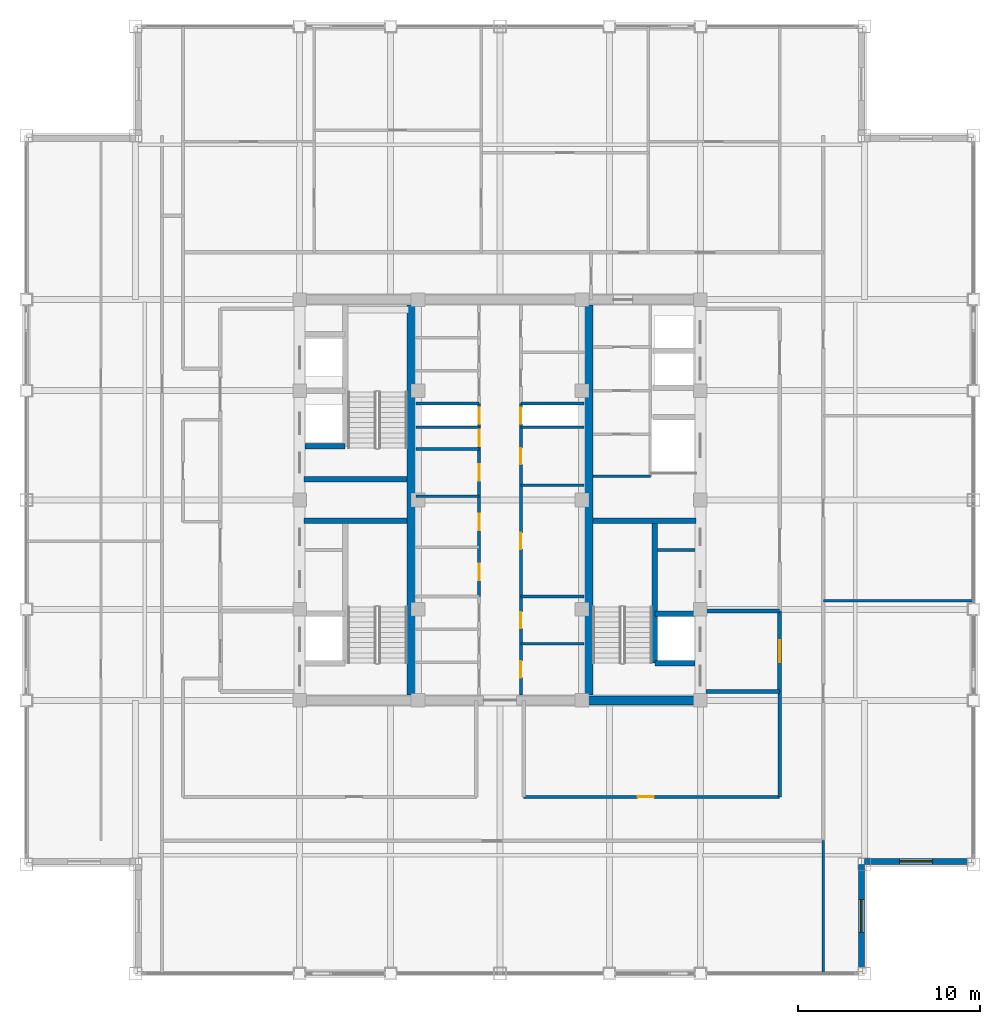
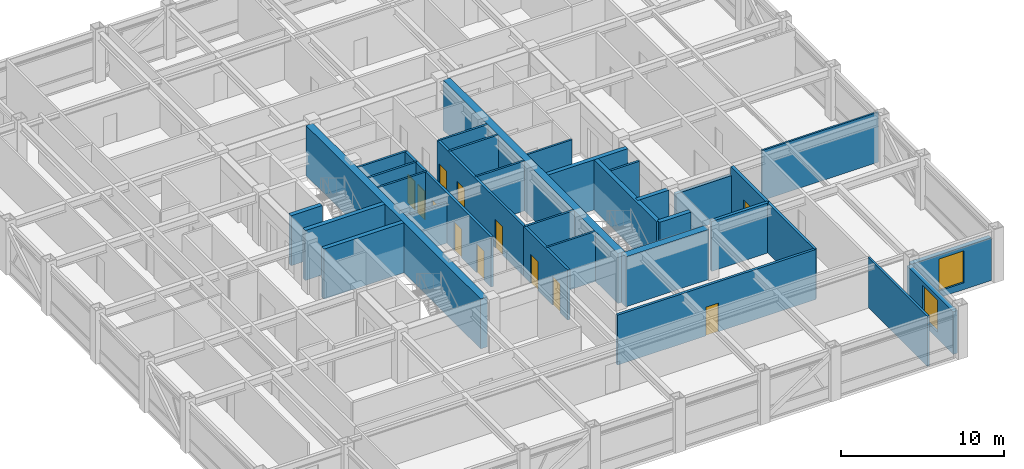
# One storey, part 25 of 29: 33 walls, 12 doors, 2 windows, 14 openings.
"""IFC4 building model written with IfcOpenShell, lengths in metres."""

from ifc_helpers import new_model, si_unit, direction, frame, frame_2d, origin, place, context, subcontext, project, spatial, rectangle, extrude, source, transform, mapped, material, layer, layer_set, type_object, element, fill, save


model = new_model("IFC4")

# Units and contexts
model_context = context("Model", 3, precision=1e-05, world=origin(), true_north=direction((0.0, 1.0)))
body_context = subcontext(model_context, "Body", "Model", "MODEL_VIEW")
ifc_project = project(units=[si_unit("LENGTHUNIT", "METRE"), si_unit("AREAUNIT", "SQUARE_METRE"), si_unit("VOLUMEUNIT", "CUBIC_METRE"), si_unit("PLANEANGLEUNIT", "RADIAN"), si_unit("MASSUNIT", "GRAM", prefix="KILO")], contexts=[model_context])

# Site, building, storey
site_placement = place(None, origin())
site = spatial("IfcSite", under=ifc_project, at=site_placement, CompositionType="ELEMENT")
building_placement = place(site_placement, origin())
building = spatial("IfcBuilding", under=site, at=building_placement, Name="Khorayat Bourse Tower", CompositionType="ELEMENT")
storey_placement = place(building_placement, frame((0.0, 0.0, 358.300048828125)))
storey = spatial("IfcBuildingStorey", under=building, at=storey_placement, Name="L85", CompositionType="ELEMENT", Elevation=358.300048828125)

# Walls
ifc_material_1 = material(Name="Concrete C52/65", Category="concrete")
ifc_layer_1 = layer(ifc_material_1, 0.5)
ifc_layer_set_1 = layer_set([ifc_layer_1], Name="Concrete C52/65")
wall_type_1 = type_object("IfcWallType", Name="WAL-CORE-500", PredefinedType="SHEAR", material=ifc_layer_set_1)
shared_shape_1 = source(origin(), body_context, "Body", "SweptSolid", [
    extrude(rectangle(XDim=21.39990234375, YDim=0.5, at=frame_2d((10.699951171875, 0.0))), origin(), (0.0, 0.0, 1.0), 3.739990234375),
])
for number, where, z_axis, x_axis, name in (
    (1, (-4.85009765625, -10.699951171875, 0.0), (0.0, 0.0, 1.0), (0.0, 1.0, 0.0), "L85 Core Shear Wall PIER-W"),
    (2, (4.85009765625, -10.699951171875, 0.0), (0.0, 0.0, 1.0), (0.0, 1.0, 0.0), "L85 Core Shear Wall PIER-E"),
):
    element("IfcWall", number, at=place(storey_placement, frame(where, z_axis=z_axis, x_axis=x_axis)), inside=storey, type_object=wall_type_1, Name=name, PredefinedType="SHEAR", context=body_context, shape_type="MappedRepresentation", body=[
        mapped(shared_shape_1, transform((0.0, 0.0, 0.0), scale=1.0)),
    ])
shared_shape_2 = source(origin(), body_context, "Body", "SweptSolid", [
    extrude(rectangle(XDim=5.89990234375, YDim=0.5, at=frame_2d((2.949951171875, 0.0))), origin(), (0.0, 0.0, 1.0), 3.739990234375),
])
wall_1_placement = place(storey_placement, frame((4.85009765625, -11.0, 0.0), z_axis=(0.0, 0.0, 1.0), x_axis=(1.0, 0.0, 0.0)))
element("IfcWall", 3, at=wall_1_placement, inside=storey, type_object=wall_type_1, Name="L85 Core Shear Wall PIER-ES", PredefinedType="SHEAR", context=body_context, shape_type="MappedRepresentation", body=[
    mapped(shared_shape_2, transform((0.0, 0.0, 0.0), scale=1.0)),
])
ifc_material_2 = material(Name="Concrete C50/60", Category="concrete")
ifc_layer_2 = layer(ifc_material_2, 0.300048828125)
ifc_layer_set_2 = layer_set([ifc_layer_2], Name="Concrete C50/60")
wall_type_2 = type_object("IfcWallType", Name="WAL-SHAFT-300", PredefinedType="SHEAR", material=ifc_layer_set_2)
shared_shape_3 = source(origin(), body_context, "Body", "SweptSolid", [
    extrude(rectangle(XDim=5.64990234375, YDim=0.300048828125, at=frame_2d((2.824951171875, 0.0))), origin(), (0.0, 0.0, 1.0), 3.739990234375),
])
for number, where, z_axis, x_axis, name in (
    (4, (-10.75, -1.14990234375, 0.0), (0.0, 0.0, 1.0), (1.0, 0.0, 0.0), "L85 Core Shear Wall ST1-DIV"),
    (5, (-10.75, 1.14990234375, 0.0), (0.0, 0.0, 1.0), (1.0, 0.0, 0.0), "L85 Core Shear Wall ST2-DIV"),
    (6, (5.10009765625, -1.14990234375, 0.0), (0.0, 0.0, 1.0), (1.0, 0.0, 0.0), "L85 Core Shear Wall ST3-DIV"),
):
    element("IfcWall", number, at=place(storey_placement, frame(where, z_axis=z_axis, x_axis=x_axis)), inside=storey, type_object=wall_type_2, Name=name, PredefinedType="SHEAR", context=body_context, shape_type="MappedRepresentation", body=[
        mapped(shared_shape_3, transform((0.0, 0.0, 0.0), scale=1.0)),
    ])

# Wall, opening, window
ifc_material_3 = material(Name="Precast concrete C45/55", Category="concrete")
ifc_layer_3 = layer(ifc_material_3, 0.320068359375)
ifc_layer_set_3 = layer_set([ifc_layer_3], Name="Precast concrete C45/55")
wall_type_3 = type_object("IfcWallType", Name="WAL-EXT-STONE-320", PredefinedType="STANDARD", material=ifc_layer_set_3)
shared_shape_4 = source(origin(), body_context, "Body", "SweptSolid", [
    extrude(rectangle(XDim=5.679931640625, YDim=0.320068359375, at=frame_2d((2.83984375, 0.0))), origin(), (0.0, 0.0, 1.0), 3.19091796875),
])
wall_2_placement = place(storey_placement, frame((19.840087890625, -25.679931640625, 0.0), z_axis=(0.0, 0.0, 1.0), x_axis=(0.0, 1.0, 0.0)))
wall_2 = element("IfcWall", 7, at=wall_2_placement, inside=storey, type_object=wall_type_3, Name="L85 Re-Entrant Notch Limestone Wall SE-V", PredefinedType="STANDARD", context=body_context, shape_type="MappedRepresentation", body=[
    mapped(shared_shape_4, transform((0.0, 0.0, 0.0), scale=1.0)),
])
shared_shape_5 = source(origin(), body_context, "Body", "SweptSolid", [
    extrude(rectangle(XDim=1.800048828125, YDim=2.39990234375, at=frame_2d((0.89990234375, 1.199951171875))), frame((0.0, 0.169921875, 0.0), z_axis=(0.0, -1.0, 0.0), x_axis=(1.0, 0.0, 0.0)), (0.0, 0.0, 1.0), 0.340087890625),
])
opening_1_placement = place(wall_2_placement, frame((1.93994140625, 0.0, 0.5)))
opening_1 = element("IfcOpeningElement", 8, at=opening_1_placement, cuts=wall_2, Name="Opening WN-04", PredefinedType="OPENING", context=body_context, shape_type="MappedRepresentation", body=[
    mapped(shared_shape_5, transform((0.0, 0.0, 0.0), scale=1.0)),
])
ifc_material_4 = material(Name="Low-E acoustic laminated double glazing", Category="glass")
window_type = type_object("IfcWindowType", Name="WIN-NOTCH-1800x2400", PartitioningType="SINGLE_PANEL", PredefinedType="WINDOW", material=ifc_material_4)
shared_shape_6 = source(origin(), body_context, "Body", "SweptSolid", [
    extrude(rectangle(XDim=1.800048828125, YDim=2.39990234375, at=frame_2d((0.89990234375, 1.199951171875))), frame((0.0, 0.030029296875, 0.0), z_axis=(0.0, -1.0, 0.0), x_axis=(1.0, 0.0, 0.0)), (0.0, 0.0, 1.0), 0.06005859375),
])
window_1_placement = place(opening_1_placement, origin())
window_1 = element("IfcWindow", 9, at=window_1_placement, inside=storey, type_object=window_type, Name="L85 Facade Window 1", OverallHeight=2.39990234375, OverallWidth=1.800048828125, PartitioningType="SINGLE_PANEL", PredefinedType="WINDOW", context=body_context, shape_type="MappedRepresentation", body=[
    mapped(shared_shape_6, transform((0.0, 0.0, 0.0), scale=1.0)),
])
fill(opening_1, window_1)

wall_3_placement = place(storey_placement, frame((20.0, -19.840087890625, 0.0), z_axis=(0.0, 0.0, 1.0), x_axis=(1.0, 0.0, 0.0)))
wall_3 = element("IfcWall", 10, at=wall_3_placement, inside=storey, type_object=wall_type_3, Name="L85 Re-Entrant Notch Limestone Wall SE-H", PredefinedType="STANDARD", context=body_context, shape_type="MappedRepresentation", body=[
    mapped(shared_shape_4, transform((0.0, 0.0, 0.0), scale=1.0)),
])
opening_2_placement = place(wall_3_placement, frame((1.93994140625, 0.0, 0.5)))
opening_2 = element("IfcOpeningElement", 11, at=opening_2_placement, cuts=wall_3, Name="Opening WN-04", PredefinedType="OPENING", context=body_context, shape_type="MappedRepresentation", body=[
    mapped(shared_shape_5, transform((0.0, 0.0, 0.0), scale=1.0)),
])
window_2_placement = place(opening_2_placement, origin())
window_2 = element("IfcWindow", 12, at=window_2_placement, inside=storey, type_object=window_type, Name="L85 Facade Window 1", OverallHeight=2.39990234375, OverallWidth=1.800048828125, PartitioningType="SINGLE_PANEL", PredefinedType="WINDOW", context=body_context, shape_type="MappedRepresentation", body=[
    mapped(shared_shape_6, transform((0.0, 0.0, 0.0), scale=1.0)),
])
fill(opening_2, window_2)

# Walls
shared_shape_7 = source(origin(), body_context, "Body", "SweptSolid", [
    extrude(rectangle(XDim=7.800048828125, YDim=0.300048828125, at=frame_2d((3.89990234375, 0.0))), origin(), (0.0, 0.0, 1.0), 3.739990234375),
])
wall_4_placement = place(storey_placement, frame((8.5, -8.949951171875, 0.0), z_axis=(0.0, 0.0, 1.0), x_axis=(0.0, 1.0, 0.0)))
element("IfcWall", 13, at=wall_4_placement, inside=storey, type_object=wall_type_2, Name="L85 Partition WAL-L85-EPIER-SP", PredefinedType="SHEAR", context=body_context, shape_type="MappedRepresentation", body=[
    mapped(shared_shape_7, transform((0.0, 0.0, 0.0), scale=1.0)),
])
shared_shape_8 = source(origin(), body_context, "Body", "SweptSolid", [
    extrude(rectangle(XDim=2.199951171875, YDim=0.300048828125, at=frame_2d((1.10009765625, 0.0))), origin(), (0.0, 0.0, 1.0), 3.739990234375),
])
for number, where, z_axis, x_axis, name in (
    (14, (-10.699951171875, 2.949951171875, 0.0), (0.0, 0.0, 1.0), (1.0, 0.0, 0.0), "L85 Partition WAL-L85-WPIER-H1S"),
    (15, (8.5, -8.949951171875, 0.0), (0.0, 0.0, 1.0), (1.0, 0.0, 0.0), "L85 Partition WAL-L85-EPIER-FF2S"),
    (16, (8.5, -6.25, 0.0), (0.0, 0.0, 1.0), (1.0, 0.0, 0.0), "L85 Partition WAL-L85-EPIER-FF2N"),
):
    element("IfcWall", number, at=place(storey_placement, frame(where, z_axis=z_axis, x_axis=x_axis)), inside=storey, type_object=wall_type_2, Name=name, PredefinedType="SHEAR", context=body_context, shape_type="MappedRepresentation", body=[
        mapped(shared_shape_8, transform((0.0, 0.0, 0.0), scale=1.0)),
    ])
ifc_material_5 = material(Name="Gypsum plasterboard twin-frame partition")
ifc_layer_4 = layer(ifc_material_5, 0.14990234375)
ifc_layer_set_4 = layer_set([ifc_layer_4], Name="Gypsum plasterboard twin-frame partition")
wall_type_4 = type_object("IfcWallType", Name="WAL-PART-SUITE-150", PredefinedType="PARTITIONING", material=ifc_layer_set_4)
shared_shape_9 = source(origin(), body_context, "Body", "SweptSolid", [
    extrude(rectangle(XDim=2.050048828125, YDim=0.14990234375, at=frame_2d((1.02490234375, 0.0))), origin(), (0.0, 0.0, 1.0), 3.739990234375),
])
wall_5_placement = place(storey_placement, frame((8.64990234375, -2.75, 0.0), z_axis=(0.0, 0.0, 1.0), x_axis=(1.0, 0.0, 0.0)))
element("IfcWall", 17, at=wall_5_placement, inside=storey, type_object=wall_type_4, Name="L85 Partition WAL-L85-ESRV-D1", PredefinedType="PARTITIONING", context=body_context, shape_type="MappedRepresentation", body=[
    mapped(shared_shape_9, transform((0.0, 0.0, 0.0), scale=1.0)),
])
ifc_material_6 = material(Name="Moisture-resistant masonry partition", Category="masonry")
ifc_layer_5 = layer(ifc_material_6, 0.139892578125)
ifc_layer_set_5 = layer_set([ifc_layer_5], Name="Moisture-resistant masonry partition")
wall_type_5 = type_object("IfcWallType", Name="WAL-PART-WET-140", PredefinedType="PARTITIONING", material=ifc_layer_set_5)
shared_shape_10 = source(origin(), body_context, "Body", "SweptSolid", [
    extrude(rectangle(XDim=3.14990234375, YDim=0.139892578125, at=frame_2d((1.574951171875, 0.0))), origin(), (0.0, 0.0, 1.0), 3.739990234375),
])
wall_6_placement = place(storey_placement, frame((5.10009765625, 1.300048828125, 0.0), z_axis=(0.0, 0.0, 1.0), x_axis=(1.0, 0.0, 0.0)))
element("IfcWall", 18, at=wall_6_placement, inside=storey, type_object=wall_type_5, Name="L85 Partition WAL-L85-ECORE-S", PredefinedType="PARTITIONING", context=body_context, shape_type="MappedRepresentation", body=[
    mapped(shared_shape_10, transform((0.0, 0.0, 0.0), scale=1.0)),
])
ifc_material_7 = material(Name="Aerated concrete blockwork", Category="masonry")
ifc_layer_6 = layer(ifc_material_7, 0.219970703125)
ifc_layer_set_6 = layer_set([ifc_layer_6], Name="Aerated concrete blockwork")
wall_type_6 = type_object("IfcWallType", Name="WAL-PART-FF-220", PredefinedType="PARTITIONING", material=ifc_layer_set_6)
shared_shape_11 = source(origin(), body_context, "Body", "SweptSolid", [
    extrude(rectangle(XDim=4.050048828125, YDim=0.219970703125, at=frame_2d((2.02490234375, 0.0))), origin(), (0.0, 0.0, 1.0), 3.739990234375),
])
wall_7_placement = place(storey_placement, frame((11.300048828125, -10.5, 0.0), z_axis=(0.0, 0.0, 1.0), x_axis=(1.0, 0.0, 0.0)))
element("IfcWall", 19, at=wall_7_placement, inside=storey, type_object=wall_type_6, Name="L85 Partition WAL-L85-FFLE-S", PredefinedType="PARTITIONING", context=body_context, shape_type="MappedRepresentation", body=[
    mapped(shared_shape_11, transform((0.0, 0.0, 0.0), scale=1.0)),
])
shared_shape_12 = source(origin(), body_context, "Body", "SweptSolid", [
    extrude(rectangle(XDim=4.050048828125, YDim=0.219970703125, at=frame_2d((2.02490234375, 0.0))), origin(), (0.0, 0.0, 1.0), 3.1240234375),
])
wall_8_placement = place(storey_placement, frame((11.300048828125, -6.10009765625, 0.0), z_axis=(0.0, 0.0, 1.0), x_axis=(1.0, 0.0, 0.0)))
element("IfcWall", 20, at=wall_8_placement, inside=storey, type_object=wall_type_6, Name="L85 Partition WAL-L85-FFLE-N", PredefinedType="PARTITIONING", context=body_context, shape_type="MappedRepresentation", body=[
    mapped(shared_shape_12, transform((0.0, 0.0, 0.0), scale=1.0)),
])

# Wall, opening, door
shared_shape_13 = source(origin(), body_context, "Body", "SweptSolid", [
    extrude(rectangle(XDim=4.39990234375, YDim=0.219970703125, at=frame_2d((2.199951171875, 0.0))), origin(), (0.0, 0.0, 1.0), 3.739990234375),
])
wall_9_placement = place(storey_placement, frame((15.35009765625, -10.5, 0.0), z_axis=(0.0, 0.0, 1.0), x_axis=(0.0, 1.0, 0.0)))
wall_9 = element("IfcWall", 21, at=wall_9_placement, inside=storey, type_object=wall_type_6, Name="L85 Partition WAL-L85-FFLE-E", PredefinedType="PARTITIONING", context=body_context, shape_type="MappedRepresentation", body=[
    mapped(shared_shape_13, transform((0.0, 0.0, 0.0), scale=1.0)),
])
shared_shape_14 = source(origin(), body_context, "Body", "SweptSolid", [
    extrude(rectangle(XDim=1.199951171875, YDim=2.199951171875, at=frame_2d((0.60009765625, 1.10009765625))), frame((0.0, 0.119873046875, 0.0), z_axis=(0.0, -1.0, 0.0), x_axis=(1.0, 0.0, 0.0)), (0.0, 0.0, 1.0), 0.239990234375),
])
opening_3_placement = place(wall_9_placement, frame((1.60009765625, 0.0, 0.0)))
opening_3 = element("IfcOpeningElement", 22, at=opening_3_placement, cuts=wall_9, Name="Opening DI-02", PredefinedType="OPENING", context=body_context, shape_type="MappedRepresentation", body=[
    mapped(shared_shape_14, transform((0.0, 0.0, 0.0), scale=1.0)),
])
ifc_material_8 = material(Name="Fire-rated steel double-seal leaf", Category="steel")
door_type_1 = type_object("IfcDoorType", Name="DR-INT-FFLOBBY-1200", OperationType="NOTDEFINED", PredefinedType="DOOR", material=ifc_material_8)
shared_shape_15 = source(origin(), body_context, "Body", "SweptSolid", [
    extrude(rectangle(XDim=1.199951171875, YDim=2.199951171875, at=frame_2d((0.60009765625, 1.10009765625))), frame((0.0, 0.02490234375, 0.0), z_axis=(0.0, -1.0, 0.0), x_axis=(1.0, 0.0, 0.0)), (0.0, 0.0, 1.0), 0.050048828125),
])
door_1_placement = place(opening_3_placement, origin())
door_1 = element("IfcDoor", 23, at=door_1_placement, inside=storey, type_object=door_type_1, Name="L85 East Firefighting Lobby Door", OperationType="SINGLE_SWING_RIGHT", OverallHeight=2.199951171875, OverallWidth=1.199951171875, PredefinedType="DOOR", context=body_context, shape_type="MappedRepresentation", body=[
    mapped(shared_shape_15, transform((0.0, 0.0, 0.0), scale=1.0)),
])
fill(opening_3, door_1)

# Walls
shared_shape_16 = source(origin(), body_context, "Body", "SweptSolid", [
    extrude(rectangle(XDim=3.4501953125, YDim=0.14990234375, at=frame_2d((1.72509765625, 0.0))), origin(), (0.0, 0.0, 1.0), 3.739990234375),
])
for number, where, z_axis, x_axis, name in (
    (24, (-4.60009765625, 4.0, 0.0), (0.0, 0.0, 1.0), (1.0, 0.0, 0.0), "L85 Partition WAL-L85-CRSW-S"),
    (25, (1.14990234375, 4.0, 0.0), (0.0, 0.0, 1.0), (1.0, 0.0, 0.0), "L85 Partition WAL-L85-CRSE-S"),
    (26, (1.14990234375, -5.300048828125, 0.0), (0.0, 0.0, 1.0), (1.0, 0.0, 0.0), "L85 Partition WAL-L85-FB1-NE"),
    (27, (-4.60009765625, 5.300048828125, 0.0), (0.0, 0.0, 1.0), (1.0, 0.0, 0.0), "L85 Partition WAL-L85-FB2-SW"),
    (28, (1.14990234375, 5.300048828125, 0.0), (0.0, 0.0, 1.0), (1.0, 0.0, 0.0), "L85 Partition WAL-L85-FB2-SE"),
):
    element("IfcWall", number, at=place(storey_placement, frame(where, z_axis=z_axis, x_axis=x_axis)), inside=storey, type_object=wall_type_4, Name=name, PredefinedType="PARTITIONING", context=body_context, shape_type="MappedRepresentation", body=[
        mapped(shared_shape_16, transform((0.0, 0.0, 0.0), scale=1.0)),
    ])
shared_shape_17 = source(origin(), body_context, "Body", "SweptSolid", [
    extrude(rectangle(XDim=3.4501953125, YDim=0.139892578125, at=frame_2d((1.72509765625, 0.0))), origin(), (0.0, 0.0, 1.0), 3.739990234375),
])
for number, where, z_axis, x_axis, name in (
    (29, (1.14990234375, -7.89990234375, 0.0), (0.0, 0.0, 1.0), (1.0, 0.0, 0.0), "L85 Partition WAL-L85-FB1E-D1"),
    (30, (-4.60009765625, 2.800048828125, 0.0), (0.0, 0.0, 1.0), (1.0, 0.0, 0.0), "L85 Partition WAL-L85-CMW-D3"),
    (31, (1.14990234375, 0.800048828125, 0.0), (0.0, 0.0, 1.0), (1.0, 0.0, 0.0), "L85 Partition WAL-L85-CME-D1"),
):
    element("IfcWall", number, at=place(storey_placement, frame(where, z_axis=z_axis, x_axis=x_axis)), inside=storey, type_object=wall_type_5, Name=name, PredefinedType="PARTITIONING", context=body_context, shape_type="MappedRepresentation", body=[
        mapped(shared_shape_17, transform((0.0, 0.0, 0.0), scale=1.0)),
    ])

# Wall, openings, doors
ifc_material_9 = material(Name="Gypsum plasterboard acoustic stud wall")
ifc_layer_7 = layer(ifc_material_9, 0.179931640625)
ifc_layer_set_7 = layer_set([ifc_layer_7], Name="Gypsum plasterboard acoustic stud wall")
wall_type_7 = type_object("IfcWallType", Name="WAL-PART-CORR-180", PredefinedType="PARTITIONING", material=ifc_layer_set_7)
shared_shape_18 = source(origin(), body_context, "Body", "SweptSolid", [
    extrude(rectangle(XDim=5.39990234375, YDim=0.179931640625, at=frame_2d((2.699951171875, 0.0))), origin(), (0.0, 0.0, 1.0), 3.739990234375),
])
wall_10_placement = place(storey_placement, frame((1.14990234375, -10.699951171875, 0.0), z_axis=(0.0, 0.0, 1.0), x_axis=(0.0, 1.0, 0.0)))
wall_10 = element("IfcWall", 32, at=wall_10_placement, inside=storey, type_object=wall_type_7, Name="L85 Partition WAL-L85-FB1E-L", PredefinedType="PARTITIONING", context=body_context, shape_type="MappedRepresentation", body=[
    mapped(shared_shape_18, transform((0.0, 0.0, 0.0), scale=1.0)),
])
shared_shape_19 = source(origin(), body_context, "Body", "SweptSolid", [
    extrude(rectangle(XDim=0.89990234375, YDim=2.14990234375, at=frame_2d((0.449951171875, 1.074951171875))), frame((0.0, 0.099853515625, 0.0), z_axis=(0.0, -1.0, 0.0), x_axis=(1.0, 0.0, 0.0)), (0.0, 0.0, 1.0), 0.199951171875),
])
opening_4_placement = place(wall_10_placement, frame((0.949951171875, 0.0, 0.0)))
opening_4 = element("IfcOpeningElement", 33, at=opening_4_placement, cuts=wall_10, Name="Opening DI-06", PredefinedType="OPENING", context=body_context, shape_type="MappedRepresentation", body=[
    mapped(shared_shape_19, transform((0.0, 0.0, 0.0), scale=1.0)),
])
opening_5_placement = place(wall_10_placement, frame((3.64990234375, 0.0, 0.0)))
opening_5 = element("IfcOpeningElement", 34, at=opening_5_placement, cuts=wall_10, Name="Opening DI-06", PredefinedType="OPENING", context=body_context, shape_type="MappedRepresentation", body=[
    mapped(shared_shape_19, transform((0.0, 0.0, 0.0), scale=1.0)),
])
ifc_material_10 = material(Name="Moisture-resistant laminate washroom door")
door_type_2 = type_object("IfcDoorType", Name="DR-INT-WC-900", OperationType="NOTDEFINED", PredefinedType="DOOR", material=ifc_material_10)
shared_shape_20 = source(origin(), body_context, "Body", "SweptSolid", [
    extrude(rectangle(XDim=0.89990234375, YDim=2.14990234375, at=frame_2d((0.449951171875, 1.074951171875))), frame((0.0, 0.02490234375, 0.0), z_axis=(0.0, -1.0, 0.0), x_axis=(1.0, 0.0, 0.0)), (0.0, 0.0, 1.0), 0.050048828125),
])
door_2_placement = place(opening_4_placement, origin())
door_2 = element("IfcDoor", 35, at=door_2_placement, inside=storey, type_object=door_type_2, Name="L85 UPS Switch Plant Room Door", OperationType="SINGLE_SWING_RIGHT", OverallHeight=2.14990234375, OverallWidth=0.89990234375, PredefinedType="DOOR", context=body_context, shape_type="MappedRepresentation", body=[
    mapped(shared_shape_20, transform((0.0, 0.0, 0.0), scale=1.0)),
])
fill(opening_4, door_2)
door_3_placement = place(opening_5_placement, origin())
door_3 = element("IfcDoor", 36, at=door_3_placement, inside=storey, type_object=door_type_2, Name="L85 Reprographics Store Door", OperationType="SINGLE_SWING_LEFT", OverallHeight=2.14990234375, OverallWidth=0.89990234375, PredefinedType="DOOR", context=body_context, shape_type="MappedRepresentation", body=[
    mapped(shared_shape_20, transform((0.0, 0.0, 0.0), scale=1.0)),
])
fill(opening_5, door_3)

shared_shape_21 = source(origin(), body_context, "Body", "SweptSolid", [
    extrude(rectangle(XDim=10.60009765625, YDim=0.179931640625, at=frame_2d((5.300048828125, 0.0))), origin(), (0.0, 0.0, 1.0), 3.739990234375),
])
wall_11_placement = place(storey_placement, frame((-1.14990234375, -5.300048828125, 0.0), z_axis=(0.0, 0.0, 1.0), x_axis=(0.0, 1.0, 0.0)))
wall_11 = element("IfcWall", 37, at=wall_11_placement, inside=storey, type_object=wall_type_7, Name="L85 Partition WAL-L85-CMW-L", PredefinedType="PARTITIONING", context=body_context, shape_type="MappedRepresentation", body=[
    mapped(shared_shape_21, transform((0.0, 0.0, 0.0), scale=1.0)),
])
opening_6_placement = place(wall_11_placement, frame((0.89990234375, 0.0, 0.0)))
opening_6 = element("IfcOpeningElement", 38, at=opening_6_placement, cuts=wall_11, Name="Opening DI-06", PredefinedType="OPENING", context=body_context, shape_type="MappedRepresentation", body=[
    mapped(shared_shape_19, transform((0.0, 0.0, 0.0), scale=1.0)),
])
opening_7_placement = place(wall_11_placement, frame((3.64990234375, 0.0, 0.0)))
opening_7 = element("IfcOpeningElement", 39, at=opening_7_placement, cuts=wall_11, Name="Opening DI-06", PredefinedType="OPENING", context=body_context, shape_type="MappedRepresentation", body=[
    mapped(shared_shape_19, transform((0.0, 0.0, 0.0), scale=1.0)),
])
opening_8_placement = place(wall_11_placement, frame((6.35009765625, 0.0, 0.0)))
opening_8 = element("IfcOpeningElement", 40, at=opening_8_placement, cuts=wall_11, Name="Opening DI-06", PredefinedType="OPENING", context=body_context, shape_type="MappedRepresentation", body=[
    mapped(shared_shape_19, transform((0.0, 0.0, 0.0), scale=1.0)),
])
opening_9_placement = place(wall_11_placement, frame((8.25, 0.0, 0.0)))
opening_9 = element("IfcOpeningElement", 41, at=opening_9_placement, cuts=wall_11, Name="Opening DI-06", PredefinedType="OPENING", context=body_context, shape_type="MappedRepresentation", body=[
    mapped(shared_shape_19, transform((0.0, 0.0, 0.0), scale=1.0)),
])
opening_10_placement = place(wall_11_placement, frame((9.47509765625, 0.0, 0.0)))
opening_10 = element("IfcOpeningElement", 42, at=opening_10_placement, cuts=wall_11, Name="Opening DI-06", PredefinedType="OPENING", context=body_context, shape_type="MappedRepresentation", body=[
    mapped(shared_shape_19, transform((0.0, 0.0, 0.0), scale=1.0)),
])
door_4_placement = place(opening_6_placement, origin())
door_4 = element("IfcDoor", 43, at=door_4_placement, inside=storey, type_object=door_type_2, Name="L85 Cleaners Store Door", OperationType="SINGLE_SWING_RIGHT", OverallHeight=2.14990234375, OverallWidth=0.89990234375, PredefinedType="DOOR", context=body_context, shape_type="MappedRepresentation", body=[
    mapped(shared_shape_20, transform((0.0, 0.0, 0.0), scale=1.0)),
])
fill(opening_6, door_4)
door_5_placement = place(opening_7_placement, origin())
door_5 = element("IfcDoor", 44, at=door_5_placement, inside=storey, type_object=door_type_2, Name="L85 Male Core Washroom Door", OperationType="SINGLE_SWING_LEFT", OverallHeight=2.14990234375, OverallWidth=0.89990234375, PredefinedType="DOOR", context=body_context, shape_type="MappedRepresentation", body=[
    mapped(shared_shape_20, transform((0.0, 0.0, 0.0), scale=1.0)),
])
fill(opening_7, door_5)
door_6_placement = place(opening_8_placement, origin())
door_6 = element("IfcDoor", 45, at=door_6_placement, inside=storey, type_object=door_type_2, Name="L85 Electrical Closet Door", OperationType="SINGLE_SWING_RIGHT", OverallHeight=2.14990234375, OverallWidth=0.89990234375, PredefinedType="DOOR", context=body_context, shape_type="MappedRepresentation", body=[
    mapped(shared_shape_20, transform((0.0, 0.0, 0.0), scale=1.0)),
])
fill(opening_8, door_6)
door_7_placement = place(opening_9_placement, origin())
door_7 = element("IfcDoor", 46, at=door_7_placement, inside=storey, type_object=door_type_2, Name="L85 Archive Cupboard Door", OperationType="SINGLE_SWING_LEFT", OverallHeight=2.14990234375, OverallWidth=0.89990234375, PredefinedType="DOOR", context=body_context, shape_type="MappedRepresentation", body=[
    mapped(shared_shape_20, transform((0.0, 0.0, 0.0), scale=1.0)),
])
fill(opening_9, door_7)
door_8_placement = place(opening_10_placement, origin())
door_8 = element("IfcDoor", 47, at=door_8_placement, inside=storey, type_object=door_type_2, Name="L85 West Core Riser Door", OperationType="SINGLE_SWING_LEFT", OverallHeight=2.14990234375, OverallWidth=0.89990234375, PredefinedType="DOOR", context=body_context, shape_type="MappedRepresentation", body=[
    mapped(shared_shape_20, transform((0.0, 0.0, 0.0), scale=1.0)),
])
fill(opening_10, door_8)

wall_12_placement = place(storey_placement, frame((1.14990234375, -5.300048828125, 0.0), z_axis=(0.0, 0.0, 1.0), x_axis=(0.0, 1.0, 0.0)))
wall_12 = element("IfcWall", 48, at=wall_12_placement, inside=storey, type_object=wall_type_7, Name="L85 Partition WAL-L85-CME-L", PredefinedType="PARTITIONING", context=body_context, shape_type="MappedRepresentation", body=[
    mapped(shared_shape_21, transform((0.0, 0.0, 0.0), scale=1.0)),
])
opening_11_placement = place(wall_12_placement, frame((2.60009765625, 0.0, 0.0)))
opening_11 = element("IfcOpeningElement", 49, at=opening_11_placement, cuts=wall_12, Name="Opening DI-06", PredefinedType="OPENING", context=body_context, shape_type="MappedRepresentation", body=[
    mapped(shared_shape_19, transform((0.0, 0.0, 0.0), scale=1.0)),
])
opening_12_placement = place(wall_12_placement, frame((7.25, 0.0, 0.0)))
opening_12 = element("IfcOpeningElement", 50, at=opening_12_placement, cuts=wall_12, Name="Opening DI-06", PredefinedType="OPENING", context=body_context, shape_type="MappedRepresentation", body=[
    mapped(shared_shape_19, transform((0.0, 0.0, 0.0), scale=1.0)),
])
opening_13_placement = place(wall_12_placement, frame((9.47509765625, 0.0, 0.0)))
opening_13 = element("IfcOpeningElement", 51, at=opening_13_placement, cuts=wall_12, Name="Opening DI-06", PredefinedType="OPENING", context=body_context, shape_type="MappedRepresentation", body=[
    mapped(shared_shape_19, transform((0.0, 0.0, 0.0), scale=1.0)),
])
door_9_placement = place(opening_11_placement, origin())
door_9 = element("IfcDoor", 52, at=door_9_placement, inside=storey, type_object=door_type_2, Name="L85 Female Core Washroom Door", OperationType="SINGLE_SWING_RIGHT", OverallHeight=2.14990234375, OverallWidth=0.89990234375, PredefinedType="DOOR", context=body_context, shape_type="MappedRepresentation", body=[
    mapped(shared_shape_20, transform((0.0, 0.0, 0.0), scale=1.0)),
])
fill(opening_11, door_9)
door_10_placement = place(opening_12_placement, origin())
door_10 = element("IfcDoor", 53, at=door_10_placement, inside=storey, type_object=door_type_2, Name="L85 Smoke Extract Fan Plant Room Door", OperationType="SINGLE_SWING_LEFT", OverallHeight=2.14990234375, OverallWidth=0.89990234375, PredefinedType="DOOR", context=body_context, shape_type="MappedRepresentation", body=[
    mapped(shared_shape_20, transform((0.0, 0.0, 0.0), scale=1.0)),
])
fill(opening_12, door_10)
door_11_placement = place(opening_13_placement, origin())
door_11 = element("IfcDoor", 54, at=door_11_placement, inside=storey, type_object=door_type_2, Name="L85 East Core Riser Door", OperationType="SINGLE_SWING_RIGHT", OverallHeight=2.14990234375, OverallWidth=0.89990234375, PredefinedType="DOOR", context=body_context, shape_type="MappedRepresentation", body=[
    mapped(shared_shape_20, transform((0.0, 0.0, 0.0), scale=1.0)),
])
fill(opening_13, door_11)

# Wall
shared_shape_22 = source(origin(), body_context, "Body", "SweptSolid", [
    extrude(rectangle(XDim=3.4501953125, YDim=0.139892578125, at=frame_2d((1.72509765625, 0.0))), origin(), (0.0, 0.0, 1.0), 3.044921875),
])
wall_13_placement = place(storey_placement, frame((-4.60009765625, 0.199951171875, 0.0), z_axis=(0.0, 0.0, 1.0), x_axis=(1.0, 0.0, 0.0)))
element("IfcWall", 55, at=wall_13_placement, inside=storey, type_object=wall_type_5, Name="L85 Partition WAL-L85-CMW-D2", PredefinedType="PARTITIONING", context=body_context, shape_type="MappedRepresentation", body=[
    mapped(shared_shape_22, transform((0.0, 0.0, 0.0), scale=1.0)),
])

# Wall, opening, door
shared_shape_23 = source(origin(), body_context, "Body", "SweptSolid", [
    extrude(rectangle(XDim=14.050048828125, YDim=0.179931640625, at=frame_2d((7.02490234375, 0.0))), origin(), (0.0, 0.0, 1.0), 3.739990234375),
])
wall_14_placement = place(storey_placement, frame((1.300048828125, -16.300048828125, 0.0), z_axis=(0.0, 0.0, 1.0), x_axis=(1.0, 0.0, 0.0)))
wall_14 = element("IfcWall", 56, at=wall_14_placement, inside=storey, type_object=wall_type_7, Name="L85 Partition WAL-L85-PKSE-S", PredefinedType="PARTITIONING", context=body_context, shape_type="MappedRepresentation", body=[
    mapped(shared_shape_23, transform((0.0, 0.0, 0.0), scale=1.0)),
])
opening_14_placement = place(wall_14_placement, frame((6.25, 0.0, 0.0)))
opening_14 = element("IfcOpeningElement", 57, at=opening_14_placement, cuts=wall_14, Name="Opening DI-06", PredefinedType="OPENING", context=body_context, shape_type="MappedRepresentation", body=[
    mapped(shared_shape_19, transform((0.0, 0.0, 0.0), scale=1.0)),
])
door_12_placement = place(opening_14_placement, origin())
door_12 = element("IfcDoor", 58, at=door_12_placement, inside=storey, type_object=door_type_2, Name="L85 SE Inboard Study Door", OperationType="SINGLE_SWING_RIGHT", OverallHeight=2.14990234375, OverallWidth=0.89990234375, PredefinedType="DOOR", context=body_context, shape_type="MappedRepresentation", body=[
    mapped(shared_shape_20, transform((0.0, 0.0, 0.0), scale=1.0)),
])
fill(opening_14, door_12)

# Walls
ifc_material_11 = material(Name="Gypsum plasterboard partition")
ifc_layer_8 = layer(ifc_material_11, 0.125)
ifc_layer_set_8 = layer_set([ifc_layer_8], Name="Gypsum plasterboard partition")
wall_type_8 = type_object("IfcWallType", Name="WAL-PART-ROOM-125", PredefinedType="PARTITIONING", material=ifc_layer_set_8)
shared_shape_24 = source(origin(), body_context, "Body", "SweptSolid", [
    extrude(rectangle(XDim=8.25, YDim=0.125, at=frame_2d((4.125, 0.0))), origin(), (0.0, 0.0, 1.0), 3.739990234375),
])
wall_15_placement = place(storey_placement, frame((17.75, -5.535888671875, 0.0), z_axis=(0.0, 0.0, 1.0), x_axis=(1.0, 0.0, 0.0)))
element("IfcWall", 59, at=wall_15_placement, inside=storey, type_object=wall_type_8, Name="L85 Partition WAL-L85-EDV-1", PredefinedType="PARTITIONING", context=body_context, shape_type="MappedRepresentation", body=[
    mapped(shared_shape_24, transform((0.0, 0.0, 0.0), scale=1.0)),
])
shared_shape_25 = source(origin(), body_context, "Body", "SweptSolid", [
    extrude(rectangle(XDim=5.800048828125, YDim=0.179931640625, at=frame_2d((2.89990234375, 0.0))), origin(), (0.0, 0.0, 1.0), 3.739990234375),
])
wall_16_placement = place(storey_placement, frame((15.35009765625, -16.300048828125, 0.0), z_axis=(0.0, 0.0, 1.0), x_axis=(0.0, 1.0, 0.0)))
element("IfcWall", 60, at=wall_16_placement, inside=storey, type_object=wall_type_7, Name="L85 Partition WAL-L85-PKSE-E", PredefinedType="PARTITIONING", context=body_context, shape_type="MappedRepresentation", body=[
    mapped(shared_shape_25, transform((0.0, 0.0, 0.0), scale=1.0)),
])
shared_shape_26 = source(origin(), body_context, "Body", "SweptSolid", [
    extrude(rectangle(XDim=7.300048828125, YDim=0.14990234375, at=frame_2d((3.64990234375, 0.0))), origin(), (0.0, 0.0, 1.0), 3.739990234375),
])
wall_17_placement = place(storey_placement, frame((17.75, -26.0, 0.0), z_axis=(0.0, 0.0, 1.0), x_axis=(0.0, 1.0, 0.0)))
element("IfcWall", 61, at=wall_17_placement, inside=storey, type_object=wall_type_4, Name="L85 Partition WAL-L85-SCE-END", PredefinedType="PARTITIONING", context=body_context, shape_type="MappedRepresentation", body=[
    mapped(shared_shape_26, transform((0.0, 0.0, 0.0), scale=1.0)),
])

save(model, "model.ifc")
